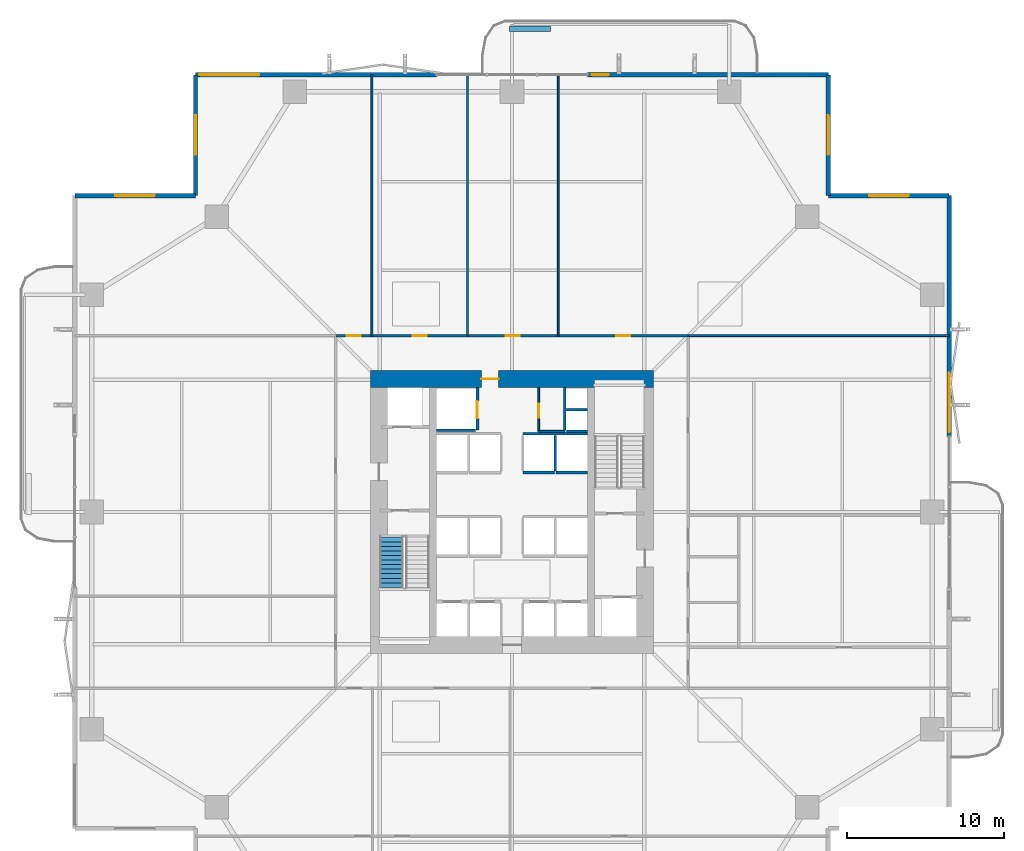
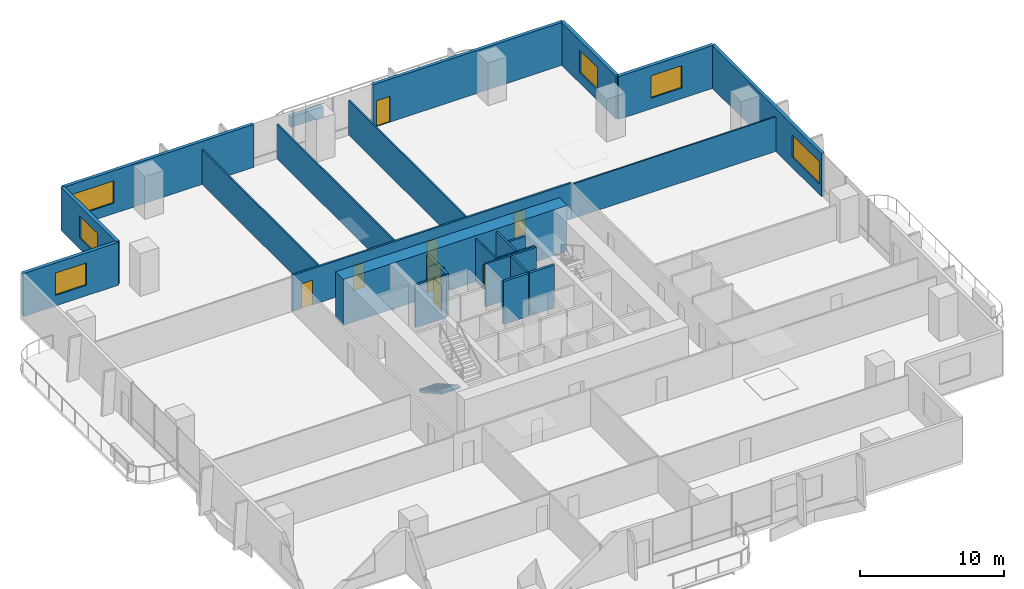
# One storey, part 19 of 23: 25 walls, 8 doors, 6 windows, 1 stair flight, 14 openings, 1 element without a shape of its own.
"""IFC4 building model written with IfcOpenShell, lengths in metres."""

from ifc_helpers import new_model, si_unit, direction, frame, frame_2d, origin, place, context, subcontext, project, spatial, polyline, rectangle, outline, extrude, material, layer, layer_set, type_object, element, fill, aggregate, save


model = new_model("IFC4")

# Units and contexts
model_context = context("Model", 3, precision=1e-05, world=origin(), true_north=direction((0.0, 1.0)))
body_context = subcontext(model_context, "Body", "Model", "MODEL_VIEW")
ifc_project = project(units=[si_unit("LENGTHUNIT", "METRE"), si_unit("AREAUNIT", "SQUARE_METRE"), si_unit("VOLUMEUNIT", "CUBIC_METRE"), si_unit("PLANEANGLEUNIT", "RADIAN"), si_unit("MASSUNIT", "GRAM", prefix="KILO")], contexts=[model_context])

# Site, building, storey
site_placement = place(None, origin())
site = spatial("IfcSite", under=ifc_project, at=site_placement, CompositionType="ELEMENT")
building_placement = place(site_placement, origin())
building = spatial("IfcBuilding", under=site, at=building_placement, Name="Belovzor Exchange Tower", CompositionType="ELEMENT")
storey_placement = place(building_placement, frame((0.0, 0.0, 88.5)))
storey = spatial("IfcBuildingStorey", under=building, at=storey_placement, Name="L21", CompositionType="ELEMENT", Elevation=88.5)

# Walls
ifc_material_1 = material(Name="Acoustic Plasterboard on Galvanised Studs", Category="gypsum")
ifc_layer_1 = layer(ifc_material_1, 0.1201171875)
ifc_layer_set_1 = layer_set([ifc_layer_1], Name="Acoustic Plasterboard on Galvanised Studs")
wall_type_1 = type_object("IfcWallType", Name="Acoustic Double-Stud Partition Wall 120", PredefinedType="PARTITIONING", material=ifc_layer_set_1)
for number, where, z_axis, x_axis, name in (
    (1, (19.89990234375, 40.0, 0.0), (0.0, 0.0, 1.0), (0.0, 1.0, 0.0), "W-P120 Partition Wall W-L21-NDIV-1"),
    (2, (25.97607421875, 40.0, 0.0), (0.0, 0.0, 1.0), (0.0, 1.0, 0.0), "W-P120 Partition Wall W-L21-NDIV-2"),
    (3, (31.740966796875, 40.0, 0.0), (0.0, 0.0, 1.0), (0.0, 1.0, 0.0), "W-P120 Partition Wall W-L21-NDIV-3"),
    (4, (40.0, 40.0, 0.0), (0.0, 0.0, 1.0), (1.0, 0.0, 0.0), "W-P120 Partition Wall W-L21-END-NE"),
):
    element("IfcWall", number, at=place(storey_placement, frame(where, z_axis=z_axis, x_axis=x_axis)), inside=storey, type_object=wall_type_1, Name=name, PredefinedType="PARTITIONING", context=body_context, shape_type="SweptSolid", body=[
        extrude(rectangle(XDim=16.570068359375, YDim=0.1201171875, at=frame_2d((8.28515625, 0.0))), origin(), (0.0, 0.0, 1.0), 2.93505859375),
    ])

# Wall, opening, door
ifc_material_2 = material(Name="Fire-Rated Plasterboard on Galvanised Studs", Category="gypsum")
ifc_layer_2 = layer(ifc_material_2, 0.1201171875)
ifc_layer_set_2 = layer_set([ifc_layer_2], Name="Fire-Rated Plasterboard on Galvanised Studs")
wall_type_2 = type_object("IfcWallType", Name="Fire-Rated Double-Stud Partition Wall 120", PredefinedType="PARTITIONING", material=ifc_layer_set_2)
wall_1_placement = place(storey_placement, frame((30.5, 33.925048828125, 0.0), z_axis=(0.0, 0.0, 1.0), x_axis=(0.0, 1.0, 0.0)))
wall_1 = element("IfcWall", 5, at=wall_1_placement, inside=storey, type_object=wall_type_2, Name="W-P120F Partition Wall W-CRV-L21-W", PredefinedType="PARTITIONING", context=body_context, shape_type="SweptSolid", body=[
    extrude(rectangle(XDim=2.77490234375, YDim=0.1201171875, at=frame_2d((1.387451171875, 0.0))), origin(), (0.0, 0.0, 1.0), 3.64990234375),
])
opening_1_placement = place(wall_1_placement, frame((0.85009765625, 0.0, 0.0)))
opening_1 = element("IfcOpeningElement", 6, at=opening_1_placement, cuts=wall_1, Name="Opening D-FD60-090", PredefinedType="OPENING", context=body_context, shape_type="SweptSolid", body=[
    extrude(rectangle(XDim=0.89990234375, YDim=2.10009765625, at=frame_2d((0.449951171875, 1.050048828125))), frame((0.0, 0.070068359375, 0.0), z_axis=(0.0, -1.0, 0.0), x_axis=(1.0, 0.0, 0.0)), (0.0, 0.0, 1.0), 0.14013671875),
])
ifc_material_3 = material(Name="Acoustic Timber Fire Leaf", Category="wood")
door_type_1 = type_object("IfcDoorType", Name="Core Service & Restroom Fire Door 900x2100", OperationType="NOTDEFINED", PredefinedType="DOOR", material=ifc_material_3)
door_1_placement = place(opening_1_placement, origin())
door_1 = element("IfcDoor", 7, at=door_1_placement, inside=storey, type_object=door_type_1, Name="D-FD60-090 Core Service & Restroom Fire Door 900x2100", OperationType="SINGLE_SWING_LEFT", OverallHeight=2.10009765625, OverallWidth=0.89990234375, PredefinedType="DOOR", context=body_context, shape_type="SweptSolid", body=[
    extrude(rectangle(XDim=0.89990234375, YDim=2.10009765625, at=frame_2d((0.449951171875, 1.050048828125))), frame((0.0, 0.02490234375, 0.0), z_axis=(0.0, -1.0, 0.0), x_axis=(1.0, 0.0, 0.0)), (0.0, 0.0, 1.0), 0.050048828125),
])
fill(opening_1, door_1)

# Wall
wall_2_placement = place(storey_placement, frame((30.5, 33.925048828125, 0.0), z_axis=(0.0, 0.0, 1.0), x_axis=(1.0, 0.0, 0.0)))
element("IfcWall", 8, at=wall_2_placement, inside=storey, type_object=wall_type_2, Name="W-P120F Partition Wall W-CRV-L21-S", PredefinedType="PARTITIONING", context=body_context, shape_type="SweptSolid", body=[
    extrude(rectangle(XDim=1.64990234375, YDim=0.1201171875, at=frame_2d((0.824951171875, 0.0))), origin(), (0.0, 0.0, 1.0), 3.64990234375),
])

# Wall, openings, doors
ifc_material_4 = material(Name="Fire-Rated Gypsum Block and Mineral Wool", Category="gypsum")
ifc_layer_3 = layer(ifc_material_4, 0.14990234375)
ifc_layer_set_3 = layer_set([ifc_layer_3], Name="Fire-Rated Gypsum Block and Mineral Wool")
wall_type_3 = type_object("IfcWallType", Name="Fire-Rated Gypsum Block Corridor Wall 150", PredefinedType="PARTITIONING", material=ifc_layer_set_3)
wall_3_placement = place(storey_placement, frame((17.60009765625, 40.0, 0.0), z_axis=(0.0, 0.0, 1.0), x_axis=(1.0, 0.0, 0.0)))
wall_3 = element("IfcWall", 9, at=wall_3_placement, inside=storey, type_object=wall_type_3, Name="W-P150 Partition Wall W-L21-CN", PredefinedType="PARTITIONING", context=body_context, shape_type="SweptSolid", body=[
    extrude(rectangle(XDim=22.39990234375, YDim=0.14990234375, at=frame_2d((11.199951171875, 0.0))), origin(), (0.0, 0.0, 1.0), 3.0849609375),
])
opening_2_placement = place(wall_3_placement, frame((0.699951171875, 0.0, 0.0)))
opening_2 = element("IfcOpeningElement", 10, at=opening_2_placement, cuts=wall_3, Name="Opening D-INT-090", PredefinedType="OPENING", context=body_context, shape_type="SweptSolid", body=[
    extrude(rectangle(XDim=0.89990234375, YDim=2.10009765625, at=frame_2d((0.449951171875, 1.050048828125))), frame((0.0, 0.0849609375, 0.0), z_axis=(0.0, -1.0, 0.0), x_axis=(1.0, 0.0, 0.0)), (0.0, 0.0, 1.0), 0.169921875),
])
opening_3_placement = place(wall_3_placement, frame((4.887939453125, 0.0, 0.0)))
opening_3 = element("IfcOpeningElement", 11, at=opening_3_placement, cuts=wall_3, Name="Opening D-INT-090", PredefinedType="OPENING", context=body_context, shape_type="SweptSolid", body=[
    extrude(rectangle(XDim=0.89990234375, YDim=2.10009765625, at=frame_2d((0.449951171875, 1.050048828125))), frame((0.0, 0.0849609375, 0.0), z_axis=(0.0, -1.0, 0.0), x_axis=(1.0, 0.0, 0.0)), (0.0, 0.0, 1.0), 0.169921875),
])
opening_4_placement = place(wall_3_placement, frame((10.80810546875, 0.0, 0.0)))
opening_4 = element("IfcOpeningElement", 12, at=opening_4_placement, cuts=wall_3, Name="Opening D-INT-090", PredefinedType="OPENING", context=body_context, shape_type="SweptSolid", body=[
    extrude(rectangle(XDim=0.89990234375, YDim=2.10009765625, at=frame_2d((0.449951171875, 1.050048828125))), frame((0.0, 0.0849609375, 0.0), z_axis=(0.0, -1.0, 0.0), x_axis=(1.0, 0.0, 0.0)), (0.0, 0.0, 1.0), 0.169921875),
])
opening_5_placement = place(wall_3_placement, frame((17.820068359375, 0.0, 0.0)))
opening_5 = element("IfcOpeningElement", 13, at=opening_5_placement, cuts=wall_3, Name="Opening D-INT-090", PredefinedType="OPENING", context=body_context, shape_type="SweptSolid", body=[
    extrude(rectangle(XDim=0.89990234375, YDim=2.10009765625, at=frame_2d((0.449951171875, 1.050048828125))), frame((0.0, 0.0849609375, 0.0), z_axis=(0.0, -1.0, 0.0), x_axis=(1.0, 0.0, 0.0)), (0.0, 0.0, 1.0), 0.169921875),
])
ifc_material_5 = material(Name="Veneered Hardwood Acoustic Leaf", Category="wood")
door_type_2 = type_object("IfcDoorType", Name="Trading Suite Acoustic Single Door 900x2100", OperationType="NOTDEFINED", PredefinedType="DOOR", material=ifc_material_5)
door_2_placement = place(opening_2_placement, origin())
door_2 = element("IfcDoor", 14, at=door_2_placement, inside=storey, type_object=door_type_2, Name="D-INT-090 Trading Suite Acoustic Single Door 900x2100", OperationType="SINGLE_SWING_LEFT", OverallHeight=2.10009765625, OverallWidth=0.89990234375, PredefinedType="DOOR", context=body_context, shape_type="SweptSolid", body=[
    extrude(rectangle(XDim=0.89990234375, YDim=2.10009765625, at=frame_2d((0.449951171875, 1.050048828125))), frame((0.0, 0.02490234375, 0.0), z_axis=(0.0, -1.0, 0.0), x_axis=(1.0, 0.0, 0.0)), (0.0, 0.0, 1.0), 0.050048828125),
])
fill(opening_2, door_2)
door_3_placement = place(opening_3_placement, origin())
door_3 = element("IfcDoor", 15, at=door_3_placement, inside=storey, type_object=door_type_2, Name="D-INT-090 Trading Suite Acoustic Single Door 900x2100", OperationType="SINGLE_SWING_RIGHT", OverallHeight=2.10009765625, OverallWidth=0.89990234375, PredefinedType="DOOR", context=body_context, shape_type="SweptSolid", body=[
    extrude(rectangle(XDim=0.89990234375, YDim=2.10009765625, at=frame_2d((0.449951171875, 1.050048828125))), frame((0.0, 0.02490234375, 0.0), z_axis=(0.0, -1.0, 0.0), x_axis=(1.0, 0.0, 0.0)), (0.0, 0.0, 1.0), 0.050048828125),
])
fill(opening_3, door_3)
door_4_placement = place(opening_4_placement, origin())
door_4 = element("IfcDoor", 16, at=door_4_placement, inside=storey, type_object=door_type_2, Name="D-INT-090 Trading Suite Acoustic Single Door 900x2100", OperationType="SINGLE_SWING_LEFT", OverallHeight=2.10009765625, OverallWidth=0.89990234375, PredefinedType="DOOR", context=body_context, shape_type="SweptSolid", body=[
    extrude(rectangle(XDim=0.89990234375, YDim=2.10009765625, at=frame_2d((0.449951171875, 1.050048828125))), frame((0.0, 0.02490234375, 0.0), z_axis=(0.0, -1.0, 0.0), x_axis=(1.0, 0.0, 0.0)), (0.0, 0.0, 1.0), 0.050048828125),
])
fill(opening_4, door_4)
door_5_placement = place(opening_5_placement, origin())
door_5 = element("IfcDoor", 17, at=door_5_placement, inside=storey, type_object=door_type_2, Name="D-INT-090 Trading Suite Acoustic Single Door 900x2100", OperationType="SINGLE_SWING_RIGHT", OverallHeight=2.10009765625, OverallWidth=0.89990234375, PredefinedType="DOOR", context=body_context, shape_type="SweptSolid", body=[
    extrude(rectangle(XDim=0.89990234375, YDim=2.10009765625, at=frame_2d((0.449951171875, 1.050048828125))), frame((0.0, 0.02490234375, 0.0), z_axis=(0.0, -1.0, 0.0), x_axis=(1.0, 0.0, 0.0)), (0.0, 0.0, 1.0), 0.050048828125),
])
fill(opening_5, door_5)

# Wall, opening, window
ifc_material_6 = material(Name="Precast concrete C40/50", Category="concrete")
ifc_layer_4 = layer(ifc_material_6, 0.280029296875)
ifc_layer_set_4 = layer_set([ifc_layer_4], Name="Precast concrete C40/50")
wall_type_4 = type_object("IfcWallType", Name="Precast Concrete Notched Corner Frame Wall 280", PredefinedType="SOLIDWALL", material=ifc_layer_set_4)
wall_4_placement = place(storey_placement, frame((1.030029296875, 48.89990234375, 0.0), z_axis=(0.0, 0.0, 1.0), x_axis=(1.0, 0.0, 0.0)))
wall_4 = element("IfcWall", 18, at=wall_4_placement, inside=storey, type_object=wall_type_4, Name="W-CRN280 Precast Concrete Notched Corner Frame Wall 280 L21", PredefinedType="SOLIDWALL", context=body_context, shape_type="SweptSolid", body=[
    extrude(rectangle(XDim=7.669921875, YDim=0.280029296875, at=frame_2d((3.8349609375, 0.0))), origin(), (0.0, 0.0, 1.0), 3.64990234375),
])
opening_6_placement = place(wall_4_placement, frame((2.5849609375, 0.0, 0.89990234375)))
opening_6 = element("IfcOpeningElement", 19, at=opening_6_placement, cuts=wall_4, Name="Opening WN-CRN250", PredefinedType="OPENING", context=body_context, shape_type="SweptSolid", body=[
    extrude(rectangle(XDim=2.5, YDim=1.89990234375, at=frame_2d((1.25, 0.949951171875))), frame((0.0, 0.14990234375, 0.0), z_axis=(0.0, -1.0, 0.0), x_axis=(1.0, 0.0, 0.0)), (0.0, 0.0, 1.0), 0.300048828125),
])
ifc_material_7 = material(Name="Thermally Broken Aluminium and Triple Glazing", Category="aluminium")
window_type_1 = type_object("IfcWindowType", Name="Streamline Moderne Corner Wrap Ribbon Window 2500x1900", PartitioningType="SINGLE_PANEL", PredefinedType="WINDOW", material=ifc_material_7)
window_1_placement = place(opening_6_placement, origin())
window_1 = element("IfcWindow", 20, at=window_1_placement, inside=storey, type_object=window_type_1, Name="WN-CRN250 Streamline Moderne Corner Wrap Ribbon Window 2500x1900", OverallHeight=1.89990234375, OverallWidth=2.5, PartitioningType="SINGLE_PANEL", PredefinedType="WINDOW", context=body_context, shape_type="SweptSolid", body=[
    extrude(rectangle(XDim=2.5, YDim=1.89990234375, at=frame_2d((1.25, 0.949951171875))), frame((0.0, 0.030029296875, 0.0), z_axis=(0.0, -1.0, 0.0), x_axis=(1.0, 0.0, 0.0)), (0.0, 0.0, 1.0), 0.06005859375),
])
fill(opening_6, window_1)

wall_5_placement = place(storey_placement, frame((8.699951171875, 48.89990234375, 0.0), z_axis=(0.0, 0.0, 1.0), x_axis=(0.0, 1.0, 0.0)))
wall_5 = element("IfcWall", 21, at=wall_5_placement, inside=storey, type_object=wall_type_4, Name="W-CRN280 Precast Concrete Notched Corner Frame Wall 280 L21", PredefinedType="SOLIDWALL", context=body_context, shape_type="SweptSolid", body=[
    extrude(rectangle(XDim=7.670166015625, YDim=0.280029296875, at=frame_2d((3.8349609375, 0.0))), origin(), (0.0, 0.0, 1.0), 3.64990234375),
])
opening_7_placement = place(wall_5_placement, frame((2.5849609375, 0.0, 0.89990234375)))
opening_7 = element("IfcOpeningElement", 22, at=opening_7_placement, cuts=wall_5, Name="Opening WN-CRN250", PredefinedType="OPENING", context=body_context, shape_type="SweptSolid", body=[
    extrude(rectangle(XDim=2.5, YDim=1.89990234375, at=frame_2d((1.25, 0.949951171875))), frame((0.0, 0.14990234375, 0.0), z_axis=(0.0, -1.0, 0.0), x_axis=(1.0, 0.0, 0.0)), (0.0, 0.0, 1.0), 0.300048828125),
])
window_2_placement = place(opening_7_placement, origin())
window_2 = element("IfcWindow", 23, at=window_2_placement, inside=storey, type_object=window_type_1, Name="WN-CRN250 Streamline Moderne Corner Wrap Ribbon Window 2500x1900", OverallHeight=1.89990234375, OverallWidth=2.5, PartitioningType="SINGLE_PANEL", PredefinedType="WINDOW", context=body_context, shape_type="SweptSolid", body=[
    extrude(rectangle(XDim=2.5, YDim=1.89990234375, at=frame_2d((1.25, 0.949951171875))), frame((0.0, 0.030029296875, 0.0), z_axis=(0.0, -1.0, 0.0), x_axis=(1.0, 0.0, 0.0)), (0.0, 0.0, 1.0), 0.06005859375),
])
fill(opening_7, window_2)

wall_6_placement = place(storey_placement, frame((48.89990234375, 56.570068359375, 0.0), z_axis=(0.0, 0.0, 1.0), x_axis=(0.0, -1.0, 0.0)))
wall_6 = element("IfcWall", 24, at=wall_6_placement, inside=storey, type_object=wall_type_4, Name="W-CRN280 Precast Concrete Notched Corner Frame Wall 280 L21", PredefinedType="SOLIDWALL", context=body_context, shape_type="SweptSolid", body=[
    extrude(rectangle(XDim=7.670166015625, YDim=0.280029296875, at=frame_2d((3.8349609375, 0.0))), origin(), (0.0, 0.0, 1.0), 3.64990234375),
])
opening_8_placement = place(wall_6_placement, frame((2.5849609375, 0.0, 0.89990234375)))
opening_8 = element("IfcOpeningElement", 25, at=opening_8_placement, cuts=wall_6, Name="Opening WN-CRN250", PredefinedType="OPENING", context=body_context, shape_type="SweptSolid", body=[
    extrude(rectangle(XDim=2.5, YDim=1.89990234375, at=frame_2d((1.25, 0.949951171875))), frame((0.0, 0.14990234375, 0.0), z_axis=(0.0, -1.0, 0.0), x_axis=(1.0, 0.0, 0.0)), (0.0, 0.0, 1.0), 0.300048828125),
])
window_3_placement = place(opening_8_placement, origin())
window_3 = element("IfcWindow", 26, at=window_3_placement, inside=storey, type_object=window_type_1, Name="WN-CRN250 Streamline Moderne Corner Wrap Ribbon Window 2500x1900", OverallHeight=1.89990234375, OverallWidth=2.5, PartitioningType="SINGLE_PANEL", PredefinedType="WINDOW", context=body_context, shape_type="SweptSolid", body=[
    extrude(rectangle(XDim=2.5, YDim=1.89990234375, at=frame_2d((1.25, 0.949951171875))), frame((0.0, 0.030029296875, 0.0), z_axis=(0.0, -1.0, 0.0), x_axis=(1.0, 0.0, 0.0)), (0.0, 0.0, 1.0), 0.06005859375),
])
fill(opening_8, window_3)

wall_7_placement = place(storey_placement, frame((48.89990234375, 48.89990234375, 0.0), z_axis=(0.0, 0.0, 1.0), x_axis=(1.0, 0.0, 0.0)))
wall_7 = element("IfcWall", 27, at=wall_7_placement, inside=storey, type_object=wall_type_4, Name="W-CRN280 Precast Concrete Notched Corner Frame Wall 280 L21", PredefinedType="SOLIDWALL", context=body_context, shape_type="SweptSolid", body=[
    extrude(rectangle(XDim=7.670166015625, YDim=0.280029296875, at=frame_2d((3.8349609375, 0.0))), origin(), (0.0, 0.0, 1.0), 3.64990234375),
])
opening_9_placement = place(wall_7_placement, frame((2.5849609375, 0.0, 0.89990234375)))
opening_9 = element("IfcOpeningElement", 28, at=opening_9_placement, cuts=wall_7, Name="Opening WN-CRN250", PredefinedType="OPENING", context=body_context, shape_type="SweptSolid", body=[
    extrude(rectangle(XDim=2.5, YDim=1.89990234375, at=frame_2d((1.25, 0.949951171875))), frame((0.0, 0.14990234375, 0.0), z_axis=(0.0, -1.0, 0.0), x_axis=(1.0, 0.0, 0.0)), (0.0, 0.0, 1.0), 0.300048828125),
])
window_4_placement = place(opening_9_placement, origin())
window_4 = element("IfcWindow", 29, at=window_4_placement, inside=storey, type_object=window_type_1, Name="WN-CRN250 Streamline Moderne Corner Wrap Ribbon Window 2500x1900", OverallHeight=1.89990234375, OverallWidth=2.5, PartitioningType="SINGLE_PANEL", PredefinedType="WINDOW", context=body_context, shape_type="SweptSolid", body=[
    extrude(rectangle(XDim=2.5, YDim=1.89990234375, at=frame_2d((1.25, 0.949951171875))), frame((0.0, 0.030029296875, 0.0), z_axis=(0.0, -1.0, 0.0), x_axis=(1.0, 0.0, 0.0)), (0.0, 0.0, 1.0), 0.06005859375),
])
fill(opening_9, window_4)

ifc_material_8 = material(Name="Precast concrete C40/50", Category="concrete")
ifc_layer_5 = layer(ifc_material_8, 0.260009765625)
ifc_layer_set_5 = layer_set([ifc_layer_5], Name="Precast concrete C40/50")
wall_type_5 = type_object("IfcWallType", Name="Precast Concrete Perimeter Loggia Frame Wall 260", PredefinedType="SOLIDWALL", material=ifc_layer_set_5)
wall_8_placement = place(storey_placement, frame((8.699951171875, 56.570068359375, 0.0), z_axis=(0.0, 0.0, 1.0), x_axis=(1.0, 0.0, 0.0)))
wall_8 = element("IfcWall", 30, at=wall_8_placement, inside=storey, type_object=wall_type_5, Name="W-EXT260 Precast Concrete Perimeter Loggia Frame Wall 260 L21", PredefinedType="SOLIDWALL", context=body_context, shape_type="SweptSolid", body=[
    extrude(rectangle(XDim=15.300048828125, YDim=0.260009765625, at=frame_2d((7.64990234375, 0.0))), origin(), (0.0, 0.0, 1.0), 3.64990234375),
])
opening_10_placement = place(wall_8_placement, frame((0.25, 0.0, 0.89990234375)))
opening_10 = element("IfcOpeningElement", 31, at=opening_10_placement, cuts=wall_8, Name="Opening WN-RIB380", PredefinedType="OPENING", context=body_context, shape_type="SweptSolid", body=[
    extrude(rectangle(XDim=3.800048828125, YDim=1.89990234375, at=frame_2d((1.89990234375, 0.949951171875))), frame((0.0, 0.139892578125, 0.0), z_axis=(0.0, -1.0, 0.0), x_axis=(1.0, 0.0, 0.0)), (0.0, 0.0, 1.0), 0.280029296875),
])
ifc_material_9 = material(Name="Thermally Broken Aluminium and Triple Glazing", Category="aluminium")
window_type_2 = type_object("IfcWindowType", Name="Streamline Moderne Horizontal Ribbon Window 3800x1900", PartitioningType="SINGLE_PANEL", PredefinedType="WINDOW", material=ifc_material_9)
window_5_placement = place(opening_10_placement, origin())
window_5 = element("IfcWindow", 32, at=window_5_placement, inside=storey, type_object=window_type_2, Name="WN-RIB380 Streamline Moderne Horizontal Ribbon Window 3800x1900", OverallHeight=1.89990234375, OverallWidth=3.800048828125, PartitioningType="SINGLE_PANEL", PredefinedType="WINDOW", context=body_context, shape_type="SweptSolid", body=[
    extrude(rectangle(XDim=3.800048828125, YDim=1.89990234375, at=frame_2d((1.89990234375, 0.949951171875))), frame((0.0, 0.030029296875, 0.0), z_axis=(0.0, -1.0, 0.0), x_axis=(1.0, 0.0, 0.0)), (0.0, 0.0, 1.0), 0.06005859375),
])
fill(opening_10, window_5)

# Wall, opening, door
wall_9_placement = place(storey_placement, frame((33.60009765625, 56.570068359375, 0.0), z_axis=(0.0, 0.0, 1.0), x_axis=(1.0, 0.0, 0.0)))
wall_9 = element("IfcWall", 33, at=wall_9_placement, inside=storey, type_object=wall_type_5, Name="W-EXT260 Precast Concrete Perimeter Loggia Frame Wall 260 L21", PredefinedType="SOLIDWALL", context=body_context, shape_type="SweptSolid", body=[
    extrude(rectangle(XDim=15.2998046875, YDim=0.260009765625, at=frame_2d((7.64990234375, 0.0))), origin(), (0.0, 0.0, 1.0), 3.64990234375),
])
opening_11_placement = place(wall_9_placement, frame((0.25, 0.0, 0.0)))
opening_11 = element("IfcOpeningElement", 34, at=opening_11_placement, cuts=wall_9, Name="Opening D-BAL110", PredefinedType="OPENING", context=body_context, shape_type="SweptSolid", body=[
    extrude(rectangle(XDim=1.10009765625, YDim=2.199951171875, at=frame_2d((0.550048828125, 1.10009765625))), frame((0.0, 0.139892578125, 0.0), z_axis=(0.0, -1.0, 0.0), x_axis=(1.0, 0.0, 0.0)), (0.0, 0.0, 1.0), 0.280029296875),
])
ifc_material_10 = material(Name="Thermally Broken Anodised Aluminium and Laminated Glass", Category="aluminium")
door_type_3 = type_object("IfcDoorType", Name="Planted Loggia Terrace Glazed Door 1100x2200", OperationType="SINGLE_SWING_LEFT", PredefinedType="DOOR", material=ifc_material_10)
door_6_placement = place(opening_11_placement, origin())
door_6 = element("IfcDoor", 35, at=door_6_placement, inside=storey, type_object=door_type_3, Name="D-BAL110 Balcony Terrace Door L21 N", OperationType="SINGLE_SWING_RIGHT", OverallHeight=2.199951171875, OverallWidth=1.10009765625, PredefinedType="DOOR", context=body_context, shape_type="SweptSolid", body=[
    extrude(rectangle(XDim=1.10009765625, YDim=2.199951171875, at=frame_2d((0.550048828125, 1.10009765625))), frame((0.0, 0.02490234375, 0.0), z_axis=(0.0, -1.0, 0.0), x_axis=(1.0, 0.0, 0.0)), (0.0, 0.0, 1.0), 0.050048828125),
])
fill(opening_11, door_6)

# Wall, opening, window
wall_10_placement = place(storey_placement, frame((56.570068359375, 48.89990234375, 0.0), z_axis=(0.0, 0.0, 1.0), x_axis=(0.0, -1.0, 0.0)))
wall_10 = element("IfcWall", 36, at=wall_10_placement, inside=storey, type_object=wall_type_5, Name="W-EXT260 Precast Concrete Perimeter Loggia Frame Wall 260 L21", PredefinedType="SOLIDWALL", context=body_context, shape_type="SweptSolid", body=[
    extrude(rectangle(XDim=15.2998046875, YDim=0.260009765625, at=frame_2d((7.64990234375, 0.0))), origin(), (0.0, 0.0, 1.0), 3.64990234375),
])
opening_12_placement = place(wall_10_placement, frame((11.25, 0.0, 0.89990234375)))
opening_12 = element("IfcOpeningElement", 37, at=opening_12_placement, cuts=wall_10, Name="Opening WN-RIB380", PredefinedType="OPENING", context=body_context, shape_type="SweptSolid", body=[
    extrude(rectangle(XDim=3.800048828125, YDim=1.89990234375, at=frame_2d((1.89990234375, 0.949951171875))), frame((0.0, 0.139892578125, 0.0), z_axis=(0.0, -1.0, 0.0), x_axis=(1.0, 0.0, 0.0)), (0.0, 0.0, 1.0), 0.280029296875),
])
window_6_placement = place(opening_12_placement, origin())
window_6 = element("IfcWindow", 38, at=window_6_placement, inside=storey, type_object=window_type_2, Name="WN-RIB380 Streamline Moderne Horizontal Ribbon Window 3800x1900", OverallHeight=1.89990234375, OverallWidth=3.800048828125, PartitioningType="SINGLE_PANEL", PredefinedType="WINDOW", context=body_context, shape_type="SweptSolid", body=[
    extrude(rectangle(XDim=3.800048828125, YDim=1.89990234375, at=frame_2d((1.89990234375, 0.949951171875))), frame((0.0, 0.030029296875, 0.0), z_axis=(0.0, -1.0, 0.0), x_axis=(1.0, 0.0, 0.0)), (0.0, 0.0, 1.0), 0.06005859375),
])
fill(opening_12, window_6)

# Walls
ifc_material_11 = material(Name="Precast concrete C40/50", Category="concrete")
ifc_layer_6 = layer(ifc_material_11, 0.35009765625)
ifc_layer_set_6 = layer_set([ifc_layer_6], Name="Precast concrete C40/50")
wall_type_6 = type_object("IfcWallType", Name="Precast Concrete Structural Tree Planter Trough 350", PredefinedType="PARAPET", material=ifc_layer_set_6)
wall_11_placement = place(storey_placement, frame((28.64990234375, 59.5, 0.0), z_axis=(0.0, 0.0, 1.0), x_axis=(1.0, 0.0, 0.0)))
element("IfcWall", 39, at=wall_11_placement, inside=storey, type_object=wall_type_6, Name="PT-350 Precast Concrete Structural Tree Planter Trough 350 L21", PredefinedType="PARAPET", context=body_context, shape_type="SweptSolid", body=[
    extrude(rectangle(XDim=2.60009765625, YDim=0.35009765625, at=frame_2d((1.300048828125, 0.0))), origin(), (0.0, 0.0, 1.0), 0.89990234375),
])
ifc_material_12 = material(Name="Concrete C50/60", Category="concrete")
ifc_layer_7 = layer(ifc_material_12, 0.14990234375)
ifc_layer_set_7 = layer_set([ifc_layer_7], Name="Concrete C50/60")
wall_type_7 = type_object("IfcWallType", Name="Reinforced Concrete Core Riser Shear Wall 150", PredefinedType="SHEAR", material=ifc_layer_set_7)
wall_12_placement = place(storey_placement, frame((32.14990234375, 34.0, 0.0), z_axis=(0.0, 0.0, 1.0), x_axis=(0.0, 1.0, 0.0)))
element("IfcWall", 40, at=wall_12_placement, inside=storey, type_object=wall_type_7, Name="W-C150S Core Shaft Wall W-RSR-L21-E", PredefinedType="SHEAR", context=body_context, shape_type="SweptSolid", body=[
    extrude(rectangle(XDim=2.699951171875, YDim=0.14990234375, at=frame_2d((1.35009765625, 0.0))), origin(), (0.0, 0.0, 1.0), 3.64990234375),
])
for number, where, z_axis, x_axis, name in (
    (41, (32.25, 33.925048828125, 0.0), (0.0, 0.0, 1.0), (1.0, 0.0, 0.0), "W-C150S Core Shaft Wall W-RSR-L21-S"),
    (42, (32.25, 35.300048828125, 0.0), (0.0, 0.0, 1.0), (1.0, 0.0, 0.0), "W-C150S Core Shaft Wall W-RSR-L21-M"),
):
    element("IfcWall", number, at=place(storey_placement, frame(where, z_axis=z_axis, x_axis=x_axis)), inside=storey, type_object=wall_type_7, Name=name, PredefinedType="SHEAR", context=body_context, shape_type="SweptSolid", body=[
        extrude(rectangle(XDim=1.330078125, YDim=0.14990234375, at=frame_2d((0.6650390625, 0.0))), origin(), (0.0, 0.0, 1.0), 3.64990234375),
    ])
wall_13_placement = place(storey_placement, frame((24.0, 34.0, 0.0), z_axis=(0.0, 0.0, 1.0), x_axis=(1.0, 0.0, 0.0)))
element("IfcWall", 43, at=wall_13_placement, inside=storey, type_object=wall_type_7, Name="W-C150S Core Shaft Wall W-SH-L21-SL-01S", PredefinedType="SHEAR", context=body_context, shape_type="SweptSolid", body=[
    extrude(rectangle(XDim=2.47998046875, YDim=0.14990234375, at=frame_2d((1.239990234375, 0.0))), origin(), (0.0, 0.0, 1.0), 3.64990234375),
])
wall_14_placement = place(storey_placement, frame((29.5, 33.760009765625, 0.0), z_axis=(0.0, 0.0, 1.0), x_axis=(1.0, 0.0, 0.0)))
element("IfcWall", 44, at=wall_14_placement, inside=storey, type_object=wall_type_7, Name="W-C150S Core Shaft Wall W-SHB-L21-PLH-NE", PredefinedType="SHEAR", context=body_context, shape_type="SweptSolid", body=[
    extrude(rectangle(XDim=4.080078125, YDim=0.14990234375, at=frame_2d((2.0400390625, 0.0))), origin(), (0.0, 0.0, 1.0), 3.64990234375),
])
wall_15_placement = place(storey_placement, frame((31.550048828125, 31.419921875, 0.0), z_axis=(0.0, 0.0, 1.0), x_axis=(0.0, 1.0, 0.0)))
element("IfcWall", 45, at=wall_15_placement, inside=storey, type_object=wall_type_7, Name="W-C150S Core Shaft Wall W-SHD-L21-PLH-4", PredefinedType="SHEAR", context=body_context, shape_type="SweptSolid", body=[
    extrude(rectangle(XDim=2.239990234375, YDim=0.14990234375, at=frame_2d((1.1201171875, 0.0))), origin(), (0.0, 0.0, 1.0), 3.64990234375),
])

# Wall, opening, door
ifc_material_13 = material(Name="Concrete C50/60", Category="concrete")
ifc_layer_8 = layer(ifc_material_13, 0.199951171875)
ifc_layer_set_8 = layer_set([ifc_layer_8], Name="Concrete C50/60")
wall_type_8 = type_object("IfcWallType", Name="Reinforced Concrete Core Shaft Shear Wall 200", PredefinedType="SHEAR", material=ifc_layer_set_8)
wall_16_placement = place(storey_placement, frame((26.60009765625, 34.0, 0.0), z_axis=(0.0, 0.0, 1.0), x_axis=(0.0, 1.0, 0.0)))
wall_16 = element("IfcWall", 46, at=wall_16_placement, inside=storey, type_object=wall_type_8, Name="W-C200S Core Shaft Wall W-SH-L21-SL-01", PredefinedType="SHEAR", context=body_context, shape_type="SweptSolid", body=[
    extrude(rectangle(XDim=2.699951171875, YDim=0.199951171875, at=frame_2d((1.35009765625, 0.0))), origin(), (0.0, 0.0, 1.0), 3.64990234375),
])
opening_13_placement = place(wall_16_placement, frame((0.75, 0.0, 0.0)))
opening_13 = element("IfcOpeningElement", 47, at=opening_13_placement, cuts=wall_16, Name="Opening LD-110", PredefinedType="OPENING", context=body_context, shape_type="SweptSolid", body=[
    extrude(rectangle(XDim=1.10009765625, YDim=2.14990234375, at=frame_2d((0.550048828125, 1.074951171875))), frame((0.0, 0.10986328125, 0.0), z_axis=(0.0, -1.0, 0.0), x_axis=(1.0, 0.0, 0.0)), (0.0, 0.0, 1.0), 0.219970703125),
])
ifc_material_14 = material(Name="Stainless Steel Grade 304", Category="steel")
door_type_4 = type_object("IfcDoorType", Name="Automated Stainless Steel Lift Landing Door 1100x2150", OperationType="SLIDING_TO_RIGHT", PredefinedType="DOOR", material=ifc_material_14)
door_7_placement = place(opening_13_placement, origin())
door_7 = element("IfcDoor", 48, at=door_7_placement, inside=storey, type_object=door_type_4, Name="LD-110 Automated Stainless Steel Lift Landing Door 1100x2150", OperationType="SLIDING_TO_RIGHT", OverallHeight=2.14990234375, OverallWidth=1.10009765625, PredefinedType="DOOR", context=body_context, shape_type="SweptSolid", body=[
    extrude(rectangle(XDim=1.10009765625, YDim=2.14990234375, at=frame_2d((0.550048828125, 1.074951171875))), frame((0.0, 0.02490234375, 0.0), z_axis=(0.0, -1.0, 0.0), x_axis=(1.0, 0.0, 0.0)), (0.0, 0.0, 1.0), 0.050048828125),
])
fill(opening_13, door_7)

# Walls
for number, where, z_axis, x_axis, name in (
    (49, (29.5, 31.300048828125, 0.0), (0.0, 0.0, 1.0), (1.0, 0.0, 0.0), "W-C200S Core Shaft Wall W-SH-L21-PL-H3"),
    (50, (31.60009765625, 31.300048828125, 0.0), (0.0, 0.0, 1.0), (1.0, 0.0, 0.0), "W-C200S Core Shaft Wall W-SH-L21-PL-H4"),
):
    element("IfcWall", number, at=place(storey_placement, frame(where, z_axis=z_axis, x_axis=x_axis)), inside=storey, type_object=wall_type_8, Name=name, PredefinedType="SHEAR", context=body_context, shape_type="SweptSolid", body=[
        extrude(rectangle(XDim=2.0, YDim=0.199951171875, at=frame_2d((1.0, 0.0))), origin(), (0.0, 0.0, 1.0), 3.64990234375),
    ])

# Wall, opening, door
ifc_material_15 = material(Name="Concrete C60/75", Category="concrete")
ifc_layer_9 = layer(ifc_material_15, 1.10009765625)
ifc_layer_set_9 = layer_set([ifc_layer_9], Name="Concrete C60/75")
wall_type_9 = type_object("IfcWallType", Name="Reinforced Concrete Core Shear Wall 1100", PredefinedType="SHEAR", material=ifc_layer_set_9)
wall_17_placement = place(storey_placement, frame((19.800048828125, 37.25, 0.0), z_axis=(0.0, 0.0, 1.0), x_axis=(1.0, 0.0, 0.0)))
wall_17 = element("IfcWall", 51, at=wall_17_placement, inside=storey, type_object=wall_type_9, Name="CW-S110 Core Shear Wall L21 N", PredefinedType="SHEAR", context=body_context, shape_type="SweptSolid", body=[
    extrude(rectangle(XDim=18.0, YDim=1.10009765625, at=frame_2d((9.0, 0.0))), origin(), (0.0, 0.0, 1.0), 3.89990234375),
])
opening_14_placement = place(wall_17_placement, frame((7.050048828125, 0.0, 0.0)))
opening_14 = element("IfcOpeningElement", 52, at=opening_14_placement, cuts=wall_17, Name="Opening D-FD90-110", PredefinedType="OPENING", context=body_context, shape_type="SweptSolid", body=[
    extrude(rectangle(XDim=1.10009765625, YDim=2.14990234375, at=frame_2d((0.550048828125, 1.074951171875))), frame((0.0, 0.56005859375, 0.0), z_axis=(0.0, -1.0, 0.0), x_axis=(1.0, 0.0, 0.0)), (0.0, 0.0, 1.0), 1.1201171875),
])
ifc_material_16 = material(Name="Fire-Rated Galvanised Steel Leaf", Category="steel")
door_type_5 = type_object("IfcDoorType", Name="Protected Escape Vestibule Fire Door 1100x2150", OperationType="NOTDEFINED", PredefinedType="DOOR", material=ifc_material_16)
door_8_placement = place(opening_14_placement, origin())
door_8 = element("IfcDoor", 53, at=door_8_placement, inside=storey, type_object=door_type_5, Name="D-FD90-110 Protected Escape Vestibule Fire Door 1100x2150", OperationType="SINGLE_SWING_RIGHT", OverallHeight=2.14990234375, OverallWidth=1.10009765625, PredefinedType="DOOR", context=body_context, shape_type="SweptSolid", body=[
    extrude(rectangle(XDim=1.10009765625, YDim=2.14990234375, at=frame_2d((0.550048828125, 1.074951171875))), frame((0.0, 0.02490234375, 0.0), z_axis=(0.0, -1.0, 0.0), x_axis=(1.0, 0.0, 0.0)), (0.0, 0.0, 1.0), 0.050048828125),
])
fill(opening_14, door_8)

# Stair, stair flight
ifc_material_17 = material(Name="Concrete C40/50", Category="concrete")
stair_type = type_object("IfcStairType", Name="Reinforced Concrete Dogleg Escape Stair 1350", PredefinedType="HALF_TURN_STAIR", material=ifc_material_17)
stair_placement = place(storey_placement, origin())
stair = element("IfcStair", 54, at=stair_placement, inside=storey, type_object=stair_type, Name="L21 ST-1", PredefinedType="HALF_TURN_STAIR")
ifc_material_18 = material(Name="Concrete C40/50", Category="concrete")
stair_flight_type = type_object("IfcStairFlightType", Name="Reinforced Concrete Stair Flight 1350", PredefinedType="STRAIGHT", material=ifc_material_18)
stair_flight_placement = place(storey_placement, frame((21.14990234375, 27.199951171875, 0.0), z_axis=(0.0, 0.0, 1.0), x_axis=(0.0, -1.0, 0.0)))
stair_flight = element("IfcStairFlight", 55, at=stair_flight_placement, type_object=stair_flight_type, Name="ST-1 flight 1", NumberOfRisers=12, NumberOfTreads=11, PredefinedType="STRAIGHT", RiserHeight=0.1625, TreadLength=0.29, context=body_context, shape_type="SweptSolid", body=[
    extrude(outline(polyline([(0.0, 0.0), (0.0, 0.16259765625), (0.2900390625, 0.16259765625), (0.2900390625, 0.324951171875), (0.580078125, 0.324951171875), (0.580078125, 0.487548828125), (0.8701171875, 0.487548828125), (0.8701171875, 0.64990234375), (1.159912109375, 0.64990234375), (1.159912109375, 0.8125), (1.449951171875, 0.8125), (1.449951171875, 0.97509765625), (1.739990234375, 0.97509765625), (1.739990234375, 1.137451171875), (2.030029296875, 1.137451171875), (2.030029296875, 1.300048828125), (2.320068359375, 1.300048828125), (2.320068359375, 1.46240234375), (2.610107421875, 1.46240234375), (2.610107421875, 1.625), (2.89990234375, 1.625), (2.89990234375, 1.78759765625), (3.18994140625, 1.78759765625), (3.18994140625, 1.949951171875), (3.18994140625, 1.61572265625), (0.306640625, 0.0), (0.0, 0.0)])), frame((0.0, 0.75, 0.0), z_axis=(0.0, -1.0, 0.0), x_axis=(1.0, 0.0, 0.0)), (0.0, 0.0, 1.0), 1.5),
])
aggregate(stair, [stair_flight])

save(model, "model.ifc")
